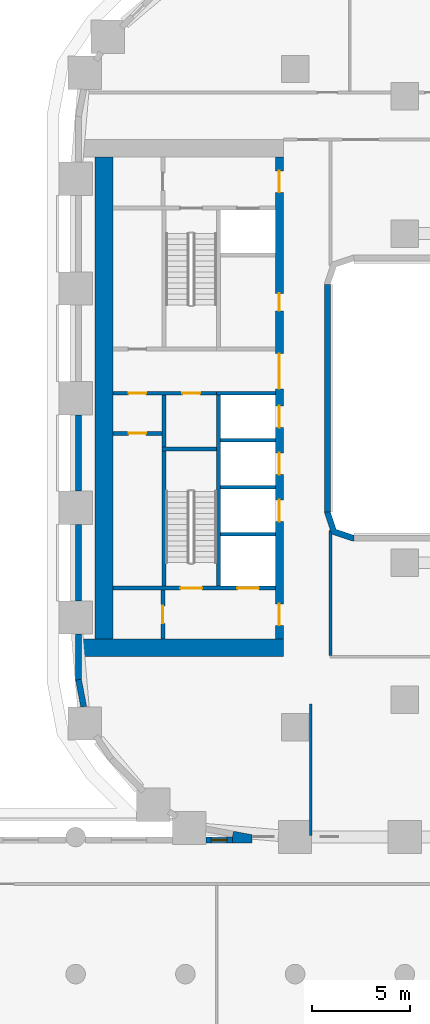
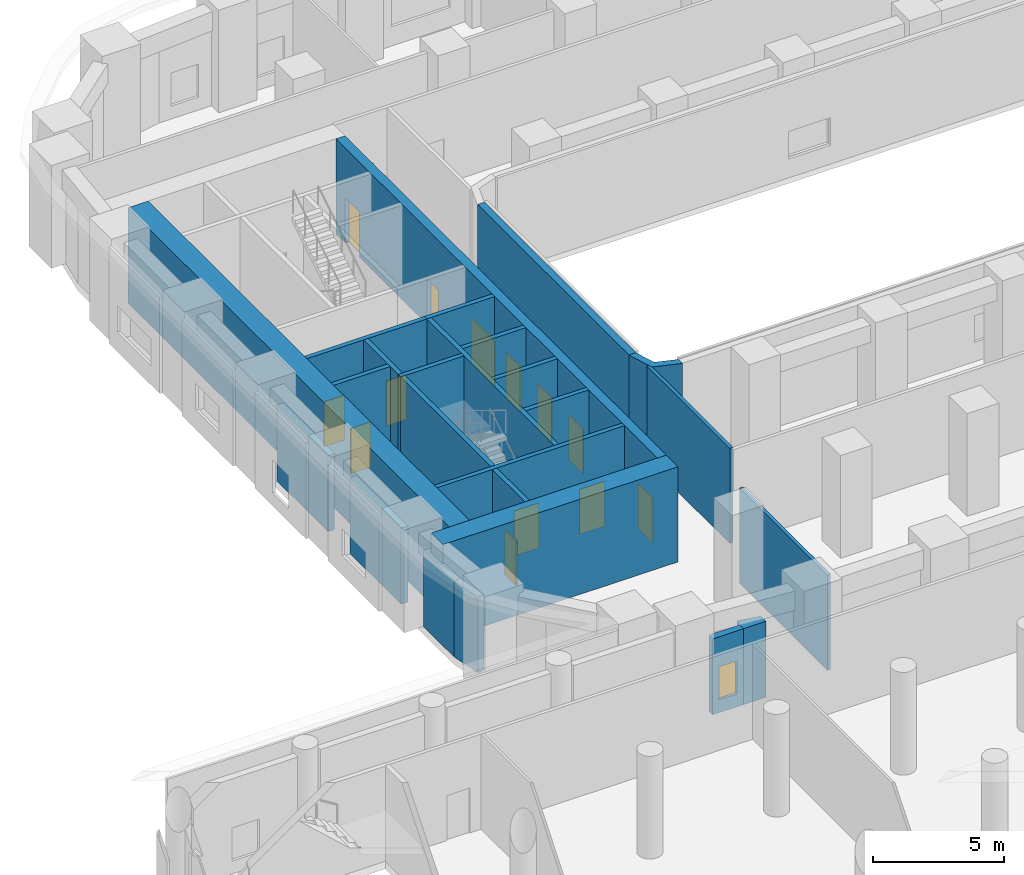
# One storey, part 8 of 23: 25 walls, 13 doors, 1 window, 14 openings.
"""IFC4 building model written with IfcOpenShell, lengths in metres."""

from ifc_helpers import new_model, si_unit, direction, frame, frame_2d, origin, place, context, subcontext, project, spatial, polyline, rectangle, outline, extrude, material, layer, layer_set, type_object, element, fill, save


model = new_model("IFC4")

# Units and contexts
model_context = context("Model", 3, precision=1e-05, world=origin(), true_north=direction((0.0, 1.0)))
body_context = subcontext(model_context, "Body", "Model", "MODEL_VIEW")
ifc_project = project(units=[si_unit("LENGTHUNIT", "METRE"), si_unit("AREAUNIT", "SQUARE_METRE"), si_unit("VOLUMEUNIT", "CUBIC_METRE"), si_unit("PLANEANGLEUNIT", "RADIAN"), si_unit("MASSUNIT", "GRAM", prefix="KILO")], contexts=[model_context])

# Site, building, storey
site_placement = place(None, origin())
site = spatial("IfcSite", under=ifc_project, at=site_placement, CompositionType="ELEMENT")
building_placement = place(site_placement, origin())
building = spatial("IfcBuilding", under=site, at=building_placement, Name="Kiln Ring Residences", CompositionType="ELEMENT")
storey_placement = place(building_placement, frame((0.0, 0.0, 16.10009765625)))
storey = spatial("IfcBuildingStorey", under=building, at=storey_placement, Name="L03", CompositionType="ELEMENT", Elevation=16.10009765625)

# Wall
ifc_material_1 = material(Name="Gypsum board on steel studs", Category="steel")
ifc_layer_1 = layer(ifc_material_1, 0.199951171875)
ifc_layer_set_1 = layer_set([ifc_layer_1], Name="CORE-PARTITION-200")
wall_type_1 = type_object("IfcWallType", Name="CORE-PARTITION-200", PredefinedType="PARTITIONING", material=ifc_layer_set_1)
wall_1_placement = place(storey_placement, frame((-23.5, -2.5, 0.0), z_axis=(0.0, 0.0, 1.0), x_axis=(0.0, 1.0, 0.0)))
element("IfcWall", 1, at=wall_1_placement, inside=storey, type_object=wall_type_1, Name="Core partition west L03 1", PredefinedType="PARTITIONING", context=body_context, shape_type="SweptSolid", body=[
    extrude(rectangle(XDim=2.64990234375, YDim=0.199951171875, at=frame_2d((1.324951171875, 0.0))), origin(), (0.0, 0.0, 1.0), 4.449951171875),
])

# Wall, openings, doors
wall_2_placement = place(storey_placement, frame((-20.800048828125, 0.25, 0.0), z_axis=(0.0, 0.0, 1.0), x_axis=(-1.0, 0.0, 0.0)))
wall_2 = element("IfcWall", 2, at=wall_2_placement, inside=storey, type_object=wall_type_1, Name="Core partition west L03 2", PredefinedType="PARTITIONING", context=body_context, shape_type="SweptSolid", body=[
    extrude(rectangle(XDim=5.300048828125, YDim=0.199951171875, at=frame_2d((2.64990234375, 0.0))), origin(), (0.0, 0.0, 1.0), 4.449951171875),
])
opening_1_placement = place(wall_2_placement, frame((0.85009765625, 0.0, 0.0)))
opening_1 = element("IfcOpeningElement", 3, at=opening_1_placement, cuts=wall_2, Name="Opening L03-CW14", PredefinedType="OPENING", context=body_context, shape_type="SweptSolid", body=[
    extrude(rectangle(XDim=0.89990234375, YDim=2.10009765625, at=frame_2d((0.449951171875, 1.050048828125))), frame((0.0, 0.10986328125, 0.0), z_axis=(0.0, -1.0, 0.0), x_axis=(1.0, 0.0, 0.0)), (0.0, 0.0, 1.0), 0.219970703125),
])
opening_2_placement = place(wall_2_placement, frame((3.60009765625, 0.0, 0.0)))
opening_2 = element("IfcOpeningElement", 4, at=opening_2_placement, cuts=wall_2, Name="Opening L03-CW16", PredefinedType="OPENING", context=body_context, shape_type="SweptSolid", body=[
    extrude(rectangle(XDim=0.89990234375, YDim=2.10009765625, at=frame_2d((0.449951171875, 1.050048828125))), frame((0.0, 0.10986328125, 0.0), z_axis=(0.0, -1.0, 0.0), x_axis=(1.0, 0.0, 0.0)), (0.0, 0.0, 1.0), 0.219970703125),
])
ifc_material_2 = material(Name="Steel door leaf", Category="steel")
door_type_1 = type_object("IfcDoorType", Name="CORE-DOOR-ROOM", OperationType="SINGLE_SWING_LEFT", PredefinedType="DOOR", material=ifc_material_2)
door_1_placement = place(opening_1_placement, origin())
door_1 = element("IfcDoor", 5, at=door_1_placement, inside=storey, type_object=door_type_1, Name="Linen store L03-CW14", OperationType="SINGLE_SWING_RIGHT", OverallHeight=2.10009765625, OverallWidth=0.89990234375, PredefinedType="DOOR", context=body_context, shape_type="SweptSolid", body=[
    extrude(rectangle(XDim=0.89990234375, YDim=2.10009765625, at=frame_2d((0.449951171875, 1.050048828125))), frame((0.0, 0.02490234375, 0.0), z_axis=(0.0, -1.0, 0.0), x_axis=(1.0, 0.0, 0.0)), (0.0, 0.0, 1.0), 0.050048828125),
])
fill(opening_1, door_1)
door_2_placement = place(opening_2_placement, origin())
door_2 = element("IfcDoor", 6, at=door_2_placement, inside=storey, type_object=door_type_1, Name="Pump and valve room L03-CW16", OperationType="SINGLE_SWING_RIGHT", OverallHeight=2.10009765625, OverallWidth=0.89990234375, PredefinedType="DOOR", context=body_context, shape_type="SweptSolid", body=[
    extrude(rectangle(XDim=0.89990234375, YDim=2.10009765625, at=frame_2d((0.449951171875, 1.050048828125))), frame((0.0, 0.02490234375, 0.0), z_axis=(0.0, -1.0, 0.0), x_axis=(1.0, 0.0, 0.0)), (0.0, 0.0, 1.0), 0.050048828125),
])
fill(opening_2, door_2)

# Wall, opening, door
wall_3_placement = place(storey_placement, frame((-23.550048828125, -12.300048828125, 0.0), z_axis=(0.0, 0.0, 1.0), x_axis=(0.0, 1.0, 0.0)))
wall_3 = element("IfcWall", 7, at=wall_3_placement, inside=storey, type_object=wall_type_1, Name="Core partition west L03 4", PredefinedType="PARTITIONING", context=body_context, shape_type="SweptSolid", body=[
    extrude(rectangle(XDim=2.5, YDim=0.199951171875, at=frame_2d((1.25, 0.0))), origin(), (0.0, 0.0, 1.0), 4.449951171875),
])
opening_3_placement = place(wall_3_placement, frame((0.800048828125, 0.0, 0.0)))
opening_3 = element("IfcOpeningElement", 8, at=opening_3_placement, cuts=wall_3, Name="Opening L03-CW10", PredefinedType="OPENING", context=body_context, shape_type="SweptSolid", body=[
    extrude(rectangle(XDim=0.89990234375, YDim=2.10009765625, at=frame_2d((0.449951171875, 1.050048828125))), frame((0.0, 0.10986328125, 0.0), z_axis=(0.0, -1.0, 0.0), x_axis=(1.0, 0.0, 0.0)), (0.0, 0.0, 1.0), 0.219970703125),
])
door_3_placement = place(opening_3_placement, origin())
door_3 = element("IfcDoor", 9, at=door_3_placement, inside=storey, type_object=door_type_1, Name="Store L03-CW10", OperationType="SINGLE_SWING_RIGHT", OverallHeight=2.10009765625, OverallWidth=0.89990234375, PredefinedType="DOOR", context=body_context, shape_type="SweptSolid", body=[
    extrude(rectangle(XDim=0.89990234375, YDim=2.10009765625, at=frame_2d((0.449951171875, 1.050048828125))), frame((0.0, 0.02490234375, 0.0), z_axis=(0.0, -1.0, 0.0), x_axis=(1.0, 0.0, 0.0)), (0.0, 0.0, 1.0), 0.050048828125),
])
fill(opening_3, door_3)

wall_4_placement = place(storey_placement, frame((-23.60009765625, -1.800048828125, 0.0), z_axis=(0.0, 0.0, 1.0), x_axis=(-1.0, 0.0, 0.0)))
wall_4 = element("IfcWall", 10, at=wall_4_placement, inside=storey, type_object=wall_type_1, Name="Core partition west L03 5", PredefinedType="PARTITIONING", context=body_context, shape_type="SweptSolid", body=[
    extrude(rectangle(XDim=2.5, YDim=0.199951171875, at=frame_2d((1.25, 0.0))), origin(), (0.0, 0.0, 1.0), 4.449951171875),
])
opening_4_placement = place(wall_4_placement, frame((0.800048828125, 0.0, 0.0)))
opening_4 = element("IfcOpeningElement", 11, at=opening_4_placement, cuts=wall_4, Name="Opening L03-CW15", PredefinedType="OPENING", context=body_context, shape_type="SweptSolid", body=[
    extrude(rectangle(XDim=0.89990234375, YDim=2.10009765625, at=frame_2d((0.449951171875, 1.050048828125))), frame((0.0, 0.10986328125, 0.0), z_axis=(0.0, -1.0, 0.0), x_axis=(1.0, 0.0, 0.0)), (0.0, 0.0, 1.0), 0.219970703125),
])
door_4_placement = place(opening_4_placement, origin())
door_4 = element("IfcDoor", 12, at=door_4_placement, inside=storey, type_object=door_type_1, Name="Pump and valve room L03-CW15", OperationType="SINGLE_SWING_RIGHT", OverallHeight=2.10009765625, OverallWidth=0.89990234375, PredefinedType="DOOR", context=body_context, shape_type="SweptSolid", body=[
    extrude(rectangle(XDim=0.89990234375, YDim=2.10009765625, at=frame_2d((0.449951171875, 1.050048828125))), frame((0.0, 0.02490234375, 0.0), z_axis=(0.0, -1.0, 0.0), x_axis=(1.0, 0.0, 0.0)), (0.0, 0.0, 1.0), 0.050048828125),
])
fill(opening_4, door_4)

# Walls
ifc_material_3 = material(Name="Gypsum shaft wall system")
ifc_layer_2 = layer(ifc_material_3, 0.199951171875)
ifc_layer_set_2 = layer_set([ifc_layer_2], Name="CORE-SHAFT-WALL-200")
wall_type_2 = type_object("IfcWallType", Name="CORE-SHAFT-WALL-200", PredefinedType="PARTITIONING", material=ifc_layer_set_2)
for number, where, z_axis, x_axis, name in (
    (13, (-17.800048828125, -6.949951171875, 0.0), (0.0, 0.0, 1.0), (-1.0, 0.0, 0.0), "Core partition west L03 6"),
    (14, (-17.800048828125, -4.550048828125, 0.0), (0.0, 0.0, 1.0), (-1.0, 0.0, 0.0), "Core partition west L03 7"),
    (15, (-17.800048828125, -2.14990234375, 0.0), (0.0, 0.0, 1.0), (-1.0, 0.0, 0.0), "Core partition west L03 8"),
):
    element("IfcWall", number, at=place(storey_placement, frame(where, z_axis=z_axis, x_axis=x_axis)), inside=storey, type_object=wall_type_2, Name=name, PredefinedType="PARTITIONING", context=body_context, shape_type="SweptSolid", body=[
        extrude(rectangle(XDim=2.800048828125, YDim=0.199951171875, at=frame_2d((1.39990234375, 0.0))), origin(), (0.0, 0.0, 1.0), 4.449951171875),
    ])
wall_5_placement = place(storey_placement, frame((-17.800048828125, 0.25, 0.0), z_axis=(0.0, 0.0, 1.0), x_axis=(-1.0, 0.0, 0.0)))
element("IfcWall", 16, at=wall_5_placement, inside=storey, type_object=wall_type_2, Name="Core partition west L03 9", PredefinedType="PARTITIONING", context=body_context, shape_type="SweptSolid", body=[
    extrude(rectangle(XDim=3.0, YDim=0.199951171875, at=frame_2d((1.5, 0.0))), origin(), (0.0, 0.0, 1.0), 4.449951171875),
])
ifc_material_4 = material(Name="Concrete C40/50", Category="concrete")
ifc_layer_3 = layer(ifc_material_4, 0.199951171875)
ifc_layer_set_3 = layer_set([ifc_layer_3], Name="CORE-WALL-RC200")
wall_type_3 = type_object("IfcWallType", Name="CORE-WALL-RC200", PredefinedType="SHEAR", material=ifc_layer_set_3)
wall_6_placement = place(storey_placement, frame((-20.699951171875, -9.60009765625, 0.0), z_axis=(0.0, 0.0, 1.0), x_axis=(0.0, 1.0, 0.0)))
element("IfcWall", 17, at=wall_6_placement, inside=storey, type_object=wall_type_3, Name="Core wall west L03 2", PredefinedType="SHEAR", context=body_context, shape_type="SweptSolid", body=[
    extrude(rectangle(XDim=9.75, YDim=0.199951171875, at=frame_2d((4.875, 0.0))), origin(), (0.0, 0.0, 1.0), 4.449951171875),
])

# Wall, openings, doors
wall_7_placement = place(storey_placement, frame((-17.800048828125, -9.699951171875, 0.0), z_axis=(0.0, 0.0, 1.0), x_axis=(-1.0, 0.0, 0.0)))
wall_7 = element("IfcWall", 18, at=wall_7_placement, inside=storey, type_object=wall_type_3, Name="Core wall west L03 8", PredefinedType="SHEAR", context=body_context, shape_type="SweptSolid", body=[
    extrude(rectangle(XDim=8.300048828125, YDim=0.199951171875, at=frame_2d((4.14990234375, 0.0))), origin(), (0.0, 0.0, 1.0), 4.449951171875),
])
opening_5_placement = place(wall_7_placement, frame((0.85009765625, 0.0, 0.0)))
opening_5 = element("IfcOpeningElement", 19, at=opening_5_placement, cuts=wall_7, Name="Opening L03-CW01", PredefinedType="OPENING", context=body_context, shape_type="SweptSolid", body=[
    extrude(rectangle(XDim=1.10009765625, YDim=2.10009765625, at=frame_2d((0.550048828125, 1.050048828125))), frame((0.0, 0.10986328125, 0.0), z_axis=(0.0, -1.0, 0.0), x_axis=(1.0, 0.0, 0.0)), (0.0, 0.0, 1.0), 0.219970703125),
])
opening_6_placement = place(wall_7_placement, frame((3.75, 0.0, 0.0)))
opening_6 = element("IfcOpeningElement", 20, at=opening_6_placement, cuts=wall_7, Name="Opening L03-CW12", PredefinedType="OPENING", context=body_context, shape_type="SweptSolid", body=[
    extrude(rectangle(XDim=1.10009765625, YDim=2.10009765625, at=frame_2d((0.550048828125, 1.050048828125))), frame((0.0, 0.10986328125, 0.0), z_axis=(0.0, -1.0, 0.0), x_axis=(1.0, 0.0, 0.0)), (0.0, 0.0, 1.0), 0.219970703125),
])
ifc_material_5 = material(Name="Steel door leaf", Category="steel")
door_type_2 = type_object("IfcDoorType", Name="CORE-DOOR-LD", OperationType="DOUBLE_DOOR_SLIDING", PredefinedType="DOOR", material=ifc_material_5)
door_5_placement = place(opening_5_placement, origin())
door_5 = element("IfcDoor", 21, at=door_5_placement, inside=storey, type_object=door_type_2, Name="LD W-SV L03-CW01", OperationType="DOUBLE_DOOR_SLIDING", OverallHeight=2.10009765625, OverallWidth=1.10009765625, PredefinedType="DOOR", context=body_context, shape_type="SweptSolid", body=[
    extrude(rectangle(XDim=1.10009765625, YDim=2.10009765625, at=frame_2d((0.550048828125, 1.050048828125))), frame((0.0, 0.02490234375, 0.0), z_axis=(0.0, -1.0, 0.0), x_axis=(1.0, 0.0, 0.0)), (0.0, 0.0, 1.0), 0.050048828125),
])
fill(opening_5, door_5)
ifc_material_6 = material(Name="Steel door leaf", Category="steel")
door_type_3 = type_object("IfcDoorType", Name="CORE-DOOR-STAIR", OperationType="SINGLE_SWING_LEFT", PredefinedType="DOOR", material=ifc_material_6)
door_6_placement = place(opening_6_placement, origin())
door_6 = element("IfcDoor", 22, at=door_6_placement, inside=storey, type_object=door_type_3, Name="Stair W-STS L03-CW12", OperationType="SINGLE_SWING_LEFT", OverallHeight=2.10009765625, OverallWidth=1.10009765625, PredefinedType="DOOR", context=body_context, shape_type="SweptSolid", body=[
    extrude(rectangle(XDim=1.10009765625, YDim=2.10009765625, at=frame_2d((0.550048828125, 1.050048828125))), frame((0.0, 0.02490234375, 0.0), z_axis=(0.0, -1.0, 0.0), x_axis=(1.0, 0.0, 0.0)), (0.0, 0.0, 1.0), 0.050048828125),
])
fill(opening_6, door_6)

# Walls
wall_8_placement = place(storey_placement, frame((-23.5, -9.60009765625, 0.0), z_axis=(0.0, 0.0, 1.0), x_axis=(0.0, 1.0, 0.0)))
element("IfcWall", 23, at=wall_8_placement, inside=storey, type_object=wall_type_3, Name="Core wall west L03 11", PredefinedType="SHEAR", context=body_context, shape_type="SweptSolid", body=[
    extrude(rectangle(XDim=6.900146484375, YDim=0.199951171875, at=frame_2d((3.4501953125, 0.0))), origin(), (0.0, 0.0, 1.0), 4.449951171875),
])
wall_9_placement = place(storey_placement, frame((-20.800048828125, -2.60009765625, 0.0), z_axis=(0.0, 0.0, 1.0), x_axis=(-1.0, 0.0, 0.0)))
element("IfcWall", 24, at=wall_9_placement, inside=storey, type_object=wall_type_3, Name="Core wall west L03 12", PredefinedType="SHEAR", context=body_context, shape_type="SweptSolid", body=[
    extrude(rectangle(XDim=2.800048828125, YDim=0.199951171875, at=frame_2d((1.39990234375, 0.0))), origin(), (0.0, 0.0, 1.0), 4.449951171875),
])

# Wall, openings, doors
ifc_material_7 = material(Name="Concrete C60/75", Category="concrete")
ifc_layer_4 = layer(ifc_material_7, 0.39990234375)
ifc_layer_set_4 = layer_set([ifc_layer_4], Name="CORE-WALL-RC400")
wall_type_4 = type_object("IfcWallType", Name="CORE-WALL-RC400", PredefinedType="SHEAR", material=ifc_layer_set_4)
wall_10_placement = place(storey_placement, frame((-17.60009765625, -12.300048828125, 0.0), z_axis=(0.0, 0.0, 1.0), x_axis=(0.0, 1.0, 0.0)))
wall_10 = element("IfcWall", 25, at=wall_10_placement, inside=storey, type_object=wall_type_4, Name="Core wall west L03 6", PredefinedType="SHEAR", context=body_context, shape_type="SweptSolid", body=[
    extrude(rectangle(XDim=24.60009765625, YDim=0.39990234375, at=frame_2d((12.300048828125, 0.0))), origin(), (0.0, 0.0, 1.0), 4.449951171875),
])
opening_7_placement = place(wall_10_placement, frame((6.0, 0.0, 0.0)))
opening_7 = element("IfcOpeningElement", 26, at=opening_7_placement, cuts=wall_10, Name="Opening L03-CW02", PredefinedType="OPENING", context=body_context, shape_type="SweptSolid", body=[
    extrude(rectangle(XDim=1.10009765625, YDim=2.10009765625, at=frame_2d((0.550048828125, 1.050048828125))), frame((0.0, 0.2099609375, 0.0), z_axis=(0.0, -1.0, 0.0), x_axis=(1.0, 0.0, 0.0)), (0.0, 0.0, 1.0), 0.419921875),
])
opening_8_placement = place(wall_10_placement, frame((8.39990234375, 0.0, 0.0)))
opening_8 = element("IfcOpeningElement", 27, at=opening_8_placement, cuts=wall_10, Name="Opening L03-CW03", PredefinedType="OPENING", context=body_context, shape_type="SweptSolid", body=[
    extrude(rectangle(XDim=1.10009765625, YDim=2.10009765625, at=frame_2d((0.550048828125, 1.050048828125))), frame((0.0, 0.2099609375, 0.0), z_axis=(0.0, -1.0, 0.0), x_axis=(1.0, 0.0, 0.0)), (0.0, 0.0, 1.0), 0.419921875),
])
opening_9_placement = place(wall_10_placement, frame((10.800048828125, 0.0, 0.0)))
opening_9 = element("IfcOpeningElement", 28, at=opening_9_placement, cuts=wall_10, Name="Opening L03-CW04", PredefinedType="OPENING", context=body_context, shape_type="SweptSolid", body=[
    extrude(rectangle(XDim=1.10009765625, YDim=2.10009765625, at=frame_2d((0.550048828125, 1.050048828125))), frame((0.0, 0.2099609375, 0.0), z_axis=(0.0, -1.0, 0.0), x_axis=(1.0, 0.0, 0.0)), (0.0, 0.0, 1.0), 0.419921875),
])
opening_10_placement = place(wall_10_placement, frame((16.75, 0.0, 0.0)))
opening_10 = element("IfcOpeningElement", 29, at=opening_10_placement, cuts=wall_10, Name="Opening L03-CW05", PredefinedType="OPENING", context=body_context, shape_type="SweptSolid", body=[
    extrude(rectangle(XDim=0.89990234375, YDim=2.10009765625, at=frame_2d((0.449951171875, 1.050048828125))), frame((0.0, 0.2099609375, 0.0), z_axis=(0.0, -1.0, 0.0), x_axis=(1.0, 0.0, 0.0)), (0.0, 0.0, 1.0), 0.419921875),
])
opening_11_placement = place(wall_10_placement, frame((22.800048828125, 0.0, 0.0)))
opening_11 = element("IfcOpeningElement", 30, at=opening_11_placement, cuts=wall_10, Name="Opening L03-CW07", PredefinedType="OPENING", context=body_context, shape_type="SweptSolid", body=[
    extrude(rectangle(XDim=1.10009765625, YDim=2.10009765625, at=frame_2d((0.550048828125, 1.050048828125))), frame((0.0, 0.2099609375, 0.0), z_axis=(0.0, -1.0, 0.0), x_axis=(1.0, 0.0, 0.0)), (0.0, 0.0, 1.0), 0.419921875),
])
opening_12_placement = place(wall_10_placement, frame((0.699951171875, 0.0, 0.0)))
opening_12 = element("IfcOpeningElement", 31, at=opening_12_placement, cuts=wall_10, Name="Opening L03-CW08", PredefinedType="OPENING", context=body_context, shape_type="SweptSolid", body=[
    extrude(rectangle(XDim=1.10009765625, YDim=2.10009765625, at=frame_2d((0.550048828125, 1.050048828125))), frame((0.0, 0.2099609375, 0.0), z_axis=(0.0, -1.0, 0.0), x_axis=(1.0, 0.0, 0.0)), (0.0, 0.0, 1.0), 0.419921875),
])
opening_13_placement = place(wall_10_placement, frame((12.77490234375, 0.0, 0.0)))
opening_13 = element("IfcOpeningElement", 32, at=opening_13_placement, cuts=wall_10, Name="Opening L03-CW13", PredefinedType="OPENING", context=body_context, shape_type="SweptSolid", body=[
    extrude(rectangle(XDim=1.800048828125, YDim=2.10009765625, at=frame_2d((0.89990234375, 1.050048828125))), frame((0.0, 0.2099609375, 0.0), z_axis=(0.0, -1.0, 0.0), x_axis=(1.0, 0.0, 0.0)), (0.0, 0.0, 1.0), 0.419921875),
])
door_7_placement = place(opening_7_placement, origin())
door_7 = element("IfcDoor", 33, at=door_7_placement, inside=storey, type_object=door_type_2, Name="LD W-L1 L03-CW02", OperationType="DOUBLE_DOOR_SLIDING", OverallHeight=2.10009765625, OverallWidth=1.10009765625, PredefinedType="DOOR", context=body_context, shape_type="SweptSolid", body=[
    extrude(rectangle(XDim=1.10009765625, YDim=2.10009765625, at=frame_2d((0.550048828125, 1.050048828125))), frame((0.0, 0.02490234375, 0.0), z_axis=(0.0, -1.0, 0.0), x_axis=(1.0, 0.0, 0.0)), (0.0, 0.0, 1.0), 0.050048828125),
])
fill(opening_7, door_7)
door_8_placement = place(opening_8_placement, origin())
door_8 = element("IfcDoor", 34, at=door_8_placement, inside=storey, type_object=door_type_2, Name="LD W-L2 L03-CW03", OperationType="DOUBLE_DOOR_SLIDING", OverallHeight=2.10009765625, OverallWidth=1.10009765625, PredefinedType="DOOR", context=body_context, shape_type="SweptSolid", body=[
    extrude(rectangle(XDim=1.10009765625, YDim=2.10009765625, at=frame_2d((0.550048828125, 1.050048828125))), frame((0.0, 0.02490234375, 0.0), z_axis=(0.0, -1.0, 0.0), x_axis=(1.0, 0.0, 0.0)), (0.0, 0.0, 1.0), 0.050048828125),
])
fill(opening_8, door_8)
door_9_placement = place(opening_9_placement, origin())
door_9 = element("IfcDoor", 35, at=door_9_placement, inside=storey, type_object=door_type_2, Name="LD W-L3 L03-CW04", OperationType="DOUBLE_DOOR_SLIDING", OverallHeight=2.10009765625, OverallWidth=1.10009765625, PredefinedType="DOOR", context=body_context, shape_type="SweptSolid", body=[
    extrude(rectangle(XDim=1.10009765625, YDim=2.10009765625, at=frame_2d((0.550048828125, 1.050048828125))), frame((0.0, 0.02490234375, 0.0), z_axis=(0.0, -1.0, 0.0), x_axis=(1.0, 0.0, 0.0)), (0.0, 0.0, 1.0), 0.050048828125),
])
fill(opening_9, door_9)
ifc_material_8 = material(Name="Steel door leaf", Category="steel")
door_type_4 = type_object("IfcDoorType", Name="CORE-DOOR-LOBBY", OperationType="SINGLE_SWING_LEFT", PredefinedType="DOOR", material=ifc_material_8)
door_10_placement = place(opening_11_placement, origin())
door_10 = element("IfcDoor", 36, at=door_10_placement, inside=storey, type_object=door_type_4, Name="FFL L03-CW07", OperationType="SINGLE_SWING_RIGHT", OverallHeight=2.10009765625, OverallWidth=1.10009765625, PredefinedType="DOOR", context=body_context, shape_type="SweptSolid", body=[
    extrude(rectangle(XDim=1.10009765625, YDim=2.10009765625, at=frame_2d((0.550048828125, 1.050048828125))), frame((0.0, 0.02490234375, 0.0), z_axis=(0.0, -1.0, 0.0), x_axis=(1.0, 0.0, 0.0)), (0.0, 0.0, 1.0), 0.050048828125),
])
fill(opening_11, door_10)
door_11_placement = place(opening_12_placement, origin())
door_11 = element("IfcDoor", 37, at=door_11_placement, inside=storey, type_object=door_type_4, Name="SVL L03-CW08", OperationType="SINGLE_SWING_LEFT", OverallHeight=2.10009765625, OverallWidth=1.10009765625, PredefinedType="DOOR", context=body_context, shape_type="SweptSolid", body=[
    extrude(rectangle(XDim=1.10009765625, YDim=2.10009765625, at=frame_2d((0.550048828125, 1.050048828125))), frame((0.0, 0.02490234375, 0.0), z_axis=(0.0, -1.0, 0.0), x_axis=(1.0, 0.0, 0.0)), (0.0, 0.0, 1.0), 0.050048828125),
])
fill(opening_12, door_11)
ifc_material_9 = material(Name="Steel door leaf", Category="steel")
door_type_5 = type_object("IfcDoorType", Name="CORE-DOOR-PASS", OperationType="DOUBLE_DOOR_SINGLE_SWING", PredefinedType="DOOR", material=ifc_material_9)
door_12_placement = place(opening_13_placement, origin())
door_12 = element("IfcDoor", 38, at=door_12_placement, inside=storey, type_object=door_type_5, Name="Core passage L03-CW13", OperationType="DOUBLE_DOOR_SINGLE_SWING", OverallHeight=2.10009765625, OverallWidth=1.800048828125, PredefinedType="DOOR", context=body_context, shape_type="SweptSolid", body=[
    extrude(rectangle(XDim=1.800048828125, YDim=2.10009765625, at=frame_2d((0.89990234375, 1.050048828125))), frame((0.0, 0.02490234375, 0.0), z_axis=(0.0, -1.0, 0.0), x_axis=(1.0, 0.0, 0.0)), (0.0, 0.0, 1.0), 0.050048828125),
])
fill(opening_13, door_12)
door_13_placement = place(opening_10_placement, origin())
door_13 = element("IfcDoor", 39, at=door_13_placement, inside=storey, type_object=door_type_1, Name="Goods store L03-CW05", OperationType="SINGLE_SWING_LEFT", OverallHeight=2.10009765625, OverallWidth=0.89990234375, PredefinedType="DOOR", context=body_context, shape_type="SweptSolid", body=[
    extrude(rectangle(XDim=0.89990234375, YDim=2.10009765625, at=frame_2d((0.449951171875, 1.050048828125))), frame((0.0, 0.02490234375, 0.0), z_axis=(0.0, -1.0, 0.0), x_axis=(1.0, 0.0, 0.0)), (0.0, 0.0, 1.0), 0.050048828125),
])
fill(opening_10, door_13)

# Walls
ifc_material_10 = material(Name="Concrete C60/75", Category="concrete")
ifc_layer_5 = layer(ifc_material_10, 0.89990234375)
ifc_layer_set_5 = layer_set([ifc_layer_5], Name="CORE-WALL-RC900")
wall_type_5 = type_object("IfcWallType", Name="CORE-WALL-RC900", PredefinedType="SHEAR", material=ifc_layer_set_5)
wall_11_placement = place(storey_placement, frame((-17.39990234375, -12.75, 0.0), z_axis=(0.0, 0.0, 1.0), x_axis=(-1.0, 0.0, 0.0)))
element("IfcWall", 40, at=wall_11_placement, inside=storey, type_object=wall_type_5, Name="Core wall west L03 5", PredefinedType="SHEAR", context=body_context, shape_type="SweptSolid", body=[
    extrude(rectangle(XDim=10.400146484375, YDim=0.89990234375, at=frame_2d((5.2001953125, 0.0))), origin(), (0.0, 0.0, 1.0), 4.449951171875),
])
wall_12_placement = place(storey_placement, frame((-26.550048828125, -12.300048828125, 0.0), z_axis=(0.0, 0.0, 1.0), x_axis=(0.0, 1.0, 0.0)))
element("IfcWall", 41, at=wall_12_placement, inside=storey, type_object=wall_type_5, Name="Core wall west L03 7", PredefinedType="SHEAR", context=body_context, shape_type="SweptSolid", body=[
    extrude(rectangle(XDim=24.60009765625, YDim=0.89990234375, at=frame_2d((12.300048828125, 0.0))), origin(), (0.0, 0.0, 1.0), 4.449951171875),
])
ifc_material_11 = material(Name="Brick masonry, dark clay brick", Category="masonry")
ifc_layer_6 = layer(ifc_material_11, 0.300048828125)
ifc_layer_set_6 = layer_set([ifc_layer_6], Name="EW-300 BRICK WALL")
wall_type_6 = type_object("IfcWallType", Name="EW-300 BRICK WALL", PredefinedType="SOLIDWALL", material=ifc_layer_set_6)
wall_13_placement = place(storey_placement, frame((-27.85009765625, -0.85009765625, 0.0), z_axis=(0.0, 0.0, 1.0), x_axis=(0.0, -1.0, 0.0)))
element("IfcWall", 42, at=wall_13_placement, inside=storey, type_object=wall_type_6, Name="Facade wall L03 41", PredefinedType="SOLIDWALL", context=body_context, shape_type="SweptSolid", body=[
    extrude(rectangle(XDim=3.89990234375, YDim=0.300048828125, at=frame_2d((1.949951171875, 0.0))), origin(), (0.0, 0.0, 1.0), 3.5498046875),
])
wall_14_placement = place(storey_placement, frame((-27.85009765625, -6.449951171875, 0.0), z_axis=(0.0, 0.0, 1.0), x_axis=(0.0, -1.0, 0.0)))
element("IfcWall", 43, at=wall_14_placement, inside=storey, type_object=wall_type_6, Name="Facade wall L03 42", PredefinedType="SOLIDWALL", context=body_context, shape_type="SweptSolid", body=[
    extrude(rectangle(XDim=3.900146484375, YDim=0.300048828125, at=frame_2d((1.9501953125, 0.0))), origin(), (0.0, 0.0, 1.0), 3.5498046875),
])
wall_15_placement = place(storey_placement, frame((-27.85009765625, -12.050048828125, 0.0), z_axis=(0.0, 0.0, 1.0), x_axis=(0.0, -1.0, 0.0)))
element("IfcWall", 44, at=wall_15_placement, inside=storey, type_object=wall_type_6, Name="Facade wall L03 43", PredefinedType="SOLIDWALL", context=body_context, shape_type="SweptSolid", body=[
    extrude(rectangle(XDim=2.349853515625, YDim=0.300048828125, at=frame_2d((1.1748046875, 0.0))), origin(), (0.0, 0.0, 1.0), 3.5498046875),
])
wall_16_placement = place(storey_placement, frame((-27.8525390625, -14.371826171875, 0.0), z_axis=(0.0, 0.0, 1.0), x_axis=(0.187327504018, -0.982297514116, 0.0)))
element("IfcWall", 45, at=wall_16_placement, inside=storey, type_object=wall_type_6, Name="Facade wall L03 44", PredefinedType="SOLIDWALL", context=body_context, shape_type="SweptSolid", body=[
    extrude(rectangle(XDim=1.40625, YDim=0.300048828125, at=frame_2d((0.703125, 0.0))), origin(), (0.0, 0.0, 1.0), 3.5498046875),
])

# Wall, opening, window
wall_17_placement = place(storey_placement, frame((-20.0, -22.550048828125, 0.0), z_axis=(0.0, 0.0, 1.0), x_axis=(-1.0, 0.0, 0.0)))
wall_17 = element("IfcWall", 46, at=wall_17_placement, inside=storey, type_object=wall_type_6, Name="Facade wall L03 49", PredefinedType="SOLIDWALL", context=body_context, shape_type="SweptSolid", body=[
    extrude(rectangle(XDim=1.358642578125, YDim=0.300048828125, at=frame_2d((0.67919921875, 0.0))), origin(), (0.0, 0.0, 1.0), 3.5498046875),
])
opening_14_placement = place(wall_17_placement, frame((0.279296875, 0.0, 0.60009765625)))
opening_14 = element("IfcOpeningElement", 47, at=opening_14_placement, cuts=wall_17, Name="Opening W5", PredefinedType="OPENING", context=body_context, shape_type="SweptSolid", body=[
    extrude(rectangle(XDim=0.800048828125, YDim=1.550048828125, at=frame_2d((0.39990234375, 0.77490234375))), frame((0.0, 0.159912109375, 0.0), z_axis=(0.0, -1.0, 0.0), x_axis=(1.0, 0.0, 0.0)), (0.0, 0.0, 1.0), 0.320068359375),
])
ifc_material_12 = material(Name="Aluminium frame with double glazing", Category="aluminium")
window_type = type_object("IfcWindowType", Name="WINDOW 800 x 1550", PartitioningType="SINGLE_PANEL", PredefinedType="WINDOW", material=ifc_material_12)
window_placement = place(opening_14_placement, origin())
window = element("IfcWindow", 48, at=window_placement, inside=storey, type_object=window_type, Name="Window L03 21", OverallHeight=1.550048828125, OverallWidth=0.800048828125, PartitioningType="SINGLE_PANEL", PredefinedType="WINDOW", context=body_context, shape_type="SweptSolid", body=[
    extrude(rectangle(XDim=0.800048828125, YDim=1.550048828125, at=frame_2d((0.39990234375, 0.77490234375))), frame((0.0, 0.030029296875, 0.0), z_axis=(0.0, -1.0, 0.0), x_axis=(1.0, 0.0, 0.0)), (0.0, 0.0, 1.0), 0.06005859375),
])
fill(opening_14, window)

# Walls
wall_18_placement = place(storey_placement, frame((-15.14990234375, -5.800048828125, 0.0), z_axis=(0.0, 0.0, 1.0), x_axis=(0.0, 1.0, 0.0)))
element("IfcWall", 49, at=wall_18_placement, inside=storey, type_object=wall_type_6, Name="Facade wall L03 73", PredefinedType="SOLIDWALL", context=body_context, shape_type="SweptSolid", body=[
    extrude(rectangle(XDim=11.60009765625, YDim=0.300048828125, at=frame_2d((5.800048828125, 0.0))), origin(), (0.0, 0.0, 1.0), 4.449951171875),
])
placement = place(storey_placement, origin())
element("IfcWall", 50, at=placement, inside=storey, type_object=wall_type_6, Name="Corner wall L03 2", PredefinedType="SOLIDWALL", context=body_context, shape_type="SweptSolid", body=[
    extrude(outline(polyline([(-20.0, -22.699951171875), (-19.0, -22.699951171875), (-19.0, -22.285400390625), (-19.94384765625, -22.105224609375), (-20.0, -22.39990234375), (-20.0, -22.699951171875)])), origin(), (0.0, 0.0, 1.0), 3.5498046875),
])
element("IfcWall", 51, at=placement, inside=storey, type_object=wall_type_6, Name="Corner wall L03 6", PredefinedType="SOLIDWALL", context=body_context, shape_type="SweptSolid", body=[
    extrude(outline(polyline([(-14.937255859375, -6.937255859375), (-13.8486328125, -7.300048828125), (-13.800048828125, -7.300048828125), (-13.800048828125, -7.0), (-14.699951171875, -6.699951171875), (-15.0, -5.800048828125), (-15.300048828125, -5.800048828125), (-15.300048828125, -5.8486328125), (-14.937255859375, -6.937255859375)])), origin(), (0.0, 0.0, 1.0), 4.449951171875),
])
ifc_material_13 = material(Name="Brick masonry partition", Category="masonry")
ifc_layer_7 = layer(ifc_material_13, 0.14990234375)
ifc_layer_set_7 = layer_set([ifc_layer_7], Name="PARTITION-150-ei60")
wall_type_7 = type_object("IfcWallType", Name="PARTITION-150-ei60", PredefinedType="PARTITIONING", material=ifc_layer_set_7)
wall_21_placement = place(storey_placement, frame((-16.0, -22.324951171875, 0.0), z_axis=(0.0, 0.0, 1.0), x_axis=(0.0, 1.0, 0.0)))
element("IfcWall", 52, at=wall_21_placement, inside=storey, type_object=wall_type_7, Name="Partition 012", PredefinedType="PARTITIONING", context=body_context, shape_type="SweptSolid", body=[
    extrude(rectangle(XDim=6.724853515625, YDim=0.14990234375, at=frame_2d((3.3623046875, 0.0))), origin(), (0.0, 0.0, 1.0), 4.449951171875),
])
wall_22_placement = place(storey_placement, frame((-15.0, -13.125, 0.0), z_axis=(0.0, 0.0, 1.0), x_axis=(0.0, 1.0, 0.0)))
element("IfcWall", 53, at=wall_22_placement, inside=storey, type_object=wall_type_7, Name="Partition 013", PredefinedType="PARTITIONING", context=body_context, shape_type="SweptSolid", body=[
    extrude(rectangle(XDim=6.356201171875, YDim=0.14990234375, at=frame_2d((3.17822265625, 0.0))), origin(), (0.0, 0.0, 1.0), 4.449951171875),
])

save(model, "model.ifc")
